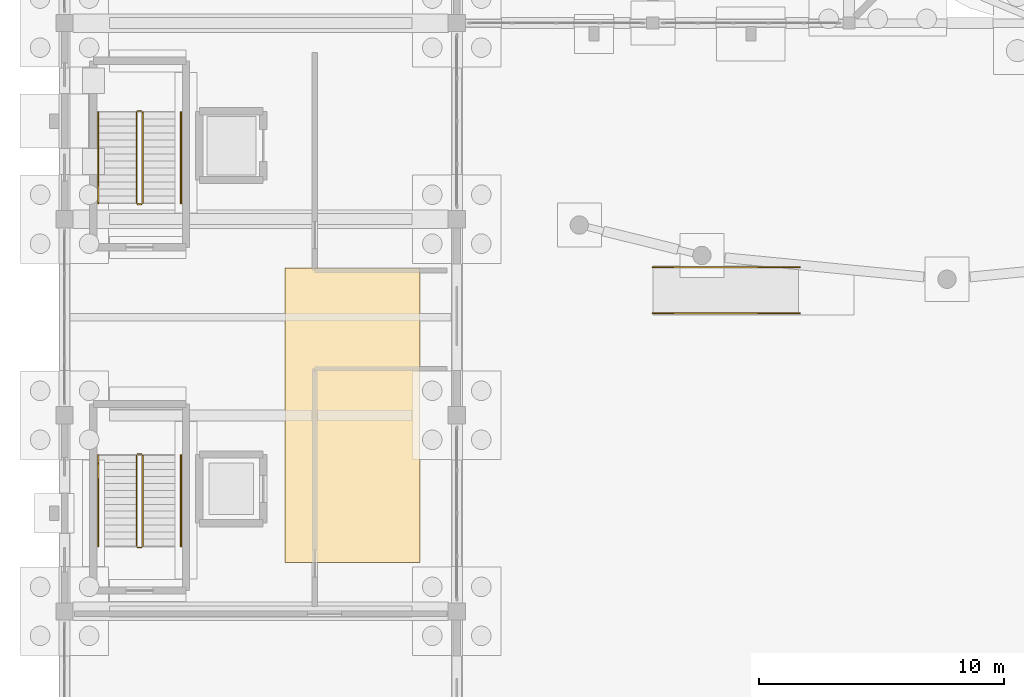
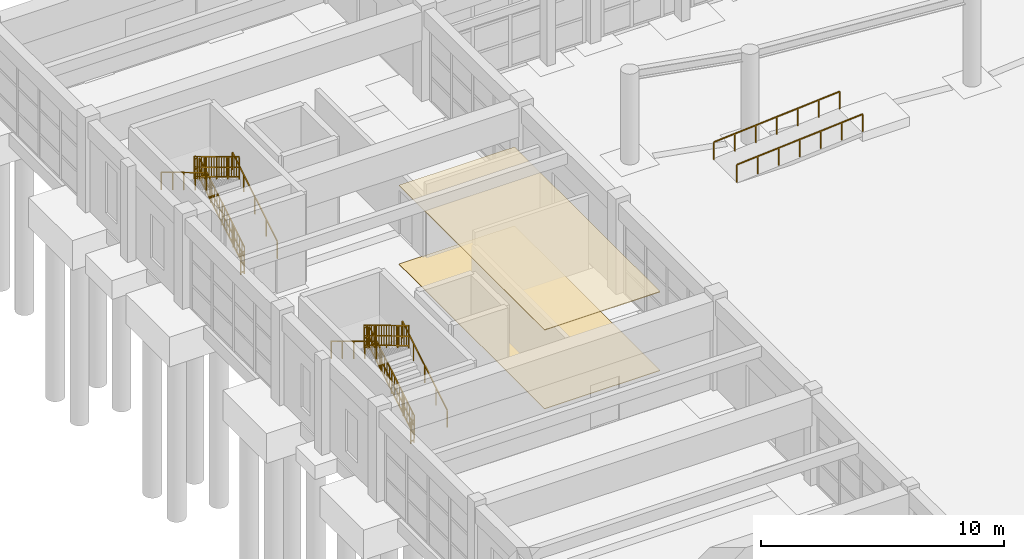
# One storey, part 58 of 68: 14 railings, 2 coverings.
"""IFC4 building model written with IfcOpenShell, lengths in metres."""

from ifc_helpers import new_model, si_unit, direction, frame, origin, origin_2d, place, context, subcontext, project, spatial, polyline, rectangle, outline, extrude, material, layer, layer_set, type_object, element, save


model = new_model("IFC4")

# Units and contexts
model_context = context("Model", 3, precision=1e-05, world=origin(), true_north=direction((0.0, 1.0)))
body_context = subcontext(model_context, "Body", "Model", "MODEL_VIEW")
ifc_project = project(units=[si_unit("LENGTHUNIT", "METRE"), si_unit("AREAUNIT", "SQUARE_METRE"), si_unit("VOLUMEUNIT", "CUBIC_METRE"), si_unit("PLANEANGLEUNIT", "RADIAN"), si_unit("MASSUNIT", "GRAM", prefix="KILO")], contexts=[model_context])

# Site, building, storey
site_placement = place(None, origin())
site = spatial("IfcSite", under=ifc_project, at=site_placement, CompositionType="ELEMENT")
building_placement = place(site_placement, origin())
building = spatial("IfcBuilding", under=site, at=building_placement, Name="Serraluz Foothill Cableway Terminal", CompositionType="ELEMENT")
storey_placement = place(building_placement, origin())
storey = spatial("IfcBuildingStorey", under=building, at=storey_placement, Name="L00", CompositionType="ELEMENT", Elevation=0.0)

# Coverings
ifc_material_1 = material(Name="Perforated acoustic mineral and timber ceiling", Category="wood")
ifc_layer_1 = layer(ifc_material_1, 0.034912109375, Name="Perforated acoustic mineral and timber ceiling", Category="wood")
ifc_layer_set_1 = layer_set([ifc_layer_1], Name="Perforated acoustic mineral and timber ceiling")
covering_type_1 = type_object("IfcCoveringType", Name="TYP-COV-CEIL-35", PredefinedType="CEILING", material=ifc_layer_set_1)
covering_1_placement = place(storey_placement, frame((0.0, 0.0, 3.9560546875)))
element("IfcCovering", 1, at=covering_1_placement, inside=storey, type_object=covering_type_1, Name="Suspended Acoustic Ceiling 05", PredefinedType="CEILING", context=body_context, shape_type="SweptSolid", body=[
    extrude(outline(polyline([(9.0, 34.0), (9.0, 46.0), (14.5, 46.0), (14.5, 34.0), (9.0, 34.0)])), origin(), (0.0, 0.0, 1.0), 0.034912109375),
])
ifc_material_2 = material(Name="Honed basalt and terrazzo floor finish", Category="masonry")
ifc_layer_2 = layer(ifc_material_2, 0.02490234375, Name="Honed basalt and terrazzo floor finish", Category="masonry")
ifc_layer_set_2 = layer_set([ifc_layer_2], Name="Honed basalt and terrazzo floor finish")
covering_type_2 = type_object("IfcCoveringType", Name="TYP-COV-FLR-25", PredefinedType="FLOORING", material=ifc_layer_set_2)
covering_2_placement = place(storey_placement, origin())
element("IfcCovering", 2, at=covering_2_placement, inside=storey, type_object=covering_type_2, Name="Terrazzo Concourse Flooring 05", PredefinedType="FLOORING", context=body_context, shape_type="SweptSolid", body=[
    extrude(outline(polyline([(9.0, 34.0), (14.5, 34.0), (14.5, 46.0), (9.0, 46.0), (9.0, 34.0)])), origin(), (0.0, 0.0, 1.0), 0.02490234375),
])

# Railings
ifc_material_3 = material(Name="Steel ASTM A572 Grade 50", Category="steel")
ifc_layer_3 = layer(ifc_material_3, 0.054931640625, Name="Steel ASTM A572 Grade 50", Category="steel")
ifc_layer_set_3 = layer_set([ifc_layer_3], Name="Steel ASTM A572 Grade 50")
railing_type_1 = type_object("IfcRailingType", Name="TYP-RL-GRD-1150", PredefinedType="GUARDRAIL", material=ifc_layer_set_3)
railing_1_placement = place(storey_placement, frame((3.18994140625, 48.659912109375, 0.17138671875)))
element("IfcRailing", 3, at=railing_1_placement, inside=storey, type_object=railing_type_1, Name="L00 ST-01 stair guard 1", PredefinedType="GUARDRAIL", context=body_context, shape_type="SweptSolid", body=[
    extrude(rectangle(XDim=0.048095703125, YDim=0.048095703125, at=origin_2d()), frame((0.0, 0.0, 1.1259765625), z_axis=(0.0, 0.856934400257, 0.515425487977), x_axis=(-1.0, 0.0, 0.0)), (0.0, 0.0, 1.0), 4.32373046875),
    extrude(rectangle(XDim=0.048095703125, YDim=0.048095703125, at=origin_2d()), frame((0.0, 0.0, 0.597900390625), z_axis=(0.0, 0.856934400257, 0.515425487977), x_axis=(-1.0, 0.0, 0.0)), (0.0, 0.0, 1.0), 4.32373046875),
    extrude(rectangle(XDim=0.048095703125, YDim=0.048095703125, at=origin_2d()), frame((0.0, 0.0, 0.1201171875), z_axis=(0.0, 0.856934400257, 0.515425487977), x_axis=(-1.0, 0.0, 0.0)), (0.0, 0.0, 1.0), 4.32373046875),
    extrude(rectangle(XDim=0.02001953125, YDim=0.02001953125, at=origin_2d()), frame((0.0, 0.205810546875, 0.243896484375)), (0.0, 0.0, 1.0), 0.981689453125),
    extrude(rectangle(XDim=0.02001953125, YDim=0.02001953125, at=origin_2d()), frame((0.0, 0.41162109375, 0.36767578125)), (0.0, 0.0, 1.0), 0.981689453125),
    extrude(rectangle(XDim=0.02001953125, YDim=0.02001953125, at=origin_2d()), frame((0.0, 0.617431640625, 0.491455078125)), (0.0, 0.0, 1.0), 0.981689453125),
    extrude(rectangle(XDim=0.02001953125, YDim=0.02001953125, at=origin_2d()), frame((0.0, 0.8232421875, 0.615234375)), (0.0, 0.0, 1.0), 0.981689453125),
    extrude(rectangle(XDim=0.02001953125, YDim=0.02001953125, at=origin_2d()), frame((0.0, 1.029296875, 0.739013671875)), (0.0, 0.0, 1.0), 0.981689453125),
    extrude(rectangle(XDim=0.02001953125, YDim=0.02001953125, at=origin_2d()), frame((0.0, 1.235107421875, 0.86279296875)), (0.0, 0.0, 1.0), 0.981689453125),
    extrude(rectangle(XDim=0.02001953125, YDim=0.02001953125, at=origin_2d()), frame((0.0, 1.44091796875, 0.986572265625)), (0.0, 0.0, 1.0), 0.981689453125),
    extrude(rectangle(XDim=0.02001953125, YDim=0.02001953125, at=origin_2d()), frame((0.0, 1.646728515625, 1.1103515625)), (0.0, 0.0, 1.0), 0.981689453125),
    extrude(rectangle(XDim=0.02001953125, YDim=0.02001953125, at=origin_2d()), frame((0.0, 2.058349609375, 1.358154296875)), (0.0, 0.0, 1.0), 0.981689453125),
    extrude(rectangle(XDim=0.02001953125, YDim=0.02001953125, at=origin_2d()), frame((0.0, 2.26416015625, 1.48193359375)), (0.0, 0.0, 1.0), 0.981689453125),
    extrude(rectangle(XDim=0.02001953125, YDim=0.02001953125, at=origin_2d()), frame((0.0, 2.469970703125, 1.605712890625)), (0.0, 0.0, 1.0), 0.981689453125),
    extrude(rectangle(XDim=0.02001953125, YDim=0.02001953125, at=origin_2d()), frame((0.0, 2.67578125, 1.7294921875)), (0.0, 0.0, 1.0), 0.981689453125),
    extrude(rectangle(XDim=0.02001953125, YDim=0.02001953125, at=origin_2d()), frame((0.0, 2.8818359375, 1.853271484375)), (0.0, 0.0, 1.0), 0.981689453125),
    extrude(rectangle(XDim=0.02001953125, YDim=0.02001953125, at=origin_2d()), frame((0.0, 3.087646484375, 1.97705078125)), (0.0, 0.0, 1.0), 0.981689453125),
    extrude(rectangle(XDim=0.02001953125, YDim=0.02001953125, at=origin_2d()), frame((0.0, 3.29345703125, 2.100830078125)), (0.0, 0.0, 1.0), 0.981689453125),
    extrude(rectangle(XDim=0.02001953125, YDim=0.02001953125, at=origin_2d()), frame((0.0, 3.499267578125, 2.224609375)), (0.0, 0.0, 1.0), 0.981689453125),
    extrude(rectangle(XDim=0.0439453125, YDim=0.0439453125, at=origin_2d()), origin(), (0.0, 0.0, 1.0), 1.101806640625),
    extrude(rectangle(XDim=0.0439453125, YDim=0.0439453125, at=origin_2d()), frame((0.0, 0.92626953125, 0.55712890625)), (0.0, 0.0, 1.0), 1.101806640625),
    extrude(rectangle(XDim=0.0439453125, YDim=0.0439453125, at=origin_2d()), frame((0.0, 1.8525390625, 1.1142578125)), (0.0, 0.0, 1.0), 1.101806640625),
    extrude(rectangle(XDim=0.0439453125, YDim=0.0439453125, at=origin_2d()), frame((0.0, 2.77880859375, 1.67138671875)), (0.0, 0.0, 1.0), 1.101806640625),
    extrude(rectangle(XDim=0.0439453125, YDim=0.0439453125, at=origin_2d()), frame((0.0, 3.705078125, 2.228515625)), (0.0, 0.0, 1.0), 1.101806640625),
])
railing_2_placement = place(storey_placement, frame((3.139892578125, 52.4150390625, 2.39990234375)))
element("IfcRailing", 4, at=railing_2_placement, inside=storey, type_object=railing_type_1, Name="L00 ST-01 stair guard 2", PredefinedType="GUARDRAIL", context=body_context, shape_type="SweptSolid", body=[
    extrude(rectangle(XDim=0.048095703125, YDim=0.048095703125, at=origin_2d()), frame((0.0, 0.0, 1.1259765625), z_axis=(-1.0, 0.0, 0.0), x_axis=(0.0, -1.0, 0.0)), (0.0, 0.0, 1.0), 0.159912109375),
    extrude(rectangle(XDim=0.048095703125, YDim=0.048095703125, at=origin_2d()), frame((0.0, 0.0, 0.597900390625), z_axis=(-1.0, 0.0, 0.0), x_axis=(0.0, -1.0, 0.0)), (0.0, 0.0, 1.0), 0.159912109375),
    extrude(rectangle(XDim=0.048095703125, YDim=0.048095703125, at=origin_2d()), frame((0.0, 0.0, 0.1201171875), z_axis=(-1.0, 0.0, 0.0), x_axis=(0.0, -1.0, 0.0)), (0.0, 0.0, 1.0), 0.159912109375),
    extrude(rectangle(XDim=0.0439453125, YDim=0.0439453125, at=origin_2d()), origin(), (0.0, 0.0, 1.0), 1.101806640625),
    extrude(rectangle(XDim=0.0439453125, YDim=0.0439453125, at=origin_2d()), frame((-0.159912109375, 0.0, 0.0)), (0.0, 0.0, 1.0), 1.101806640625),
])
railing_3_placement = place(storey_placement, frame((2.929931640625, 52.364990234375, 2.571533203125)))
element("IfcRailing", 5, at=railing_3_placement, inside=storey, type_object=railing_type_1, Name="L00 ST-01 stair guard 3", PredefinedType="GUARDRAIL", context=body_context, shape_type="SweptSolid", body=[
    extrude(rectangle(XDim=0.048095703125, YDim=0.048095703125, at=origin_2d()), frame((0.0, 0.0, 1.1259765625), z_axis=(0.0, -0.856934400257, 0.515425487977), x_axis=(1.0, 0.0, 0.0)), (0.0, 0.0, 1.0), 4.32373046875),
    extrude(rectangle(XDim=0.048095703125, YDim=0.048095703125, at=origin_2d()), frame((0.0, 0.0, 0.597900390625), z_axis=(0.0, -0.856934400257, 0.515425487977), x_axis=(1.0, 0.0, 0.0)), (0.0, 0.0, 1.0), 4.32373046875),
    extrude(rectangle(XDim=0.048095703125, YDim=0.048095703125, at=origin_2d()), frame((0.0, 0.0, 0.1201171875), z_axis=(0.0, -0.856934400257, 0.515425487977), x_axis=(1.0, 0.0, 0.0)), (0.0, 0.0, 1.0), 4.32373046875),
    extrude(rectangle(XDim=0.02001953125, YDim=0.02001953125, at=origin_2d()), frame((0.0, -0.205810546875, 0.243896484375)), (0.0, 0.0, 1.0), 0.981689453125),
    extrude(rectangle(XDim=0.02001953125, YDim=0.02001953125, at=origin_2d()), frame((0.0, -0.41162109375, 0.36767578125)), (0.0, 0.0, 1.0), 0.981689453125),
    extrude(rectangle(XDim=0.02001953125, YDim=0.02001953125, at=origin_2d()), frame((0.0, -0.617431640625, 0.491455078125)), (0.0, 0.0, 1.0), 0.981689453125),
    extrude(rectangle(XDim=0.02001953125, YDim=0.02001953125, at=origin_2d()), frame((0.0, -0.8232421875, 0.615234375)), (0.0, 0.0, 1.0), 0.981689453125),
    extrude(rectangle(XDim=0.02001953125, YDim=0.02001953125, at=origin_2d()), frame((0.0, -1.029296875, 0.739013671875)), (0.0, 0.0, 1.0), 0.981689453125),
    extrude(rectangle(XDim=0.02001953125, YDim=0.02001953125, at=origin_2d()), frame((0.0, -1.235107421875, 0.86279296875)), (0.0, 0.0, 1.0), 0.981689453125),
    extrude(rectangle(XDim=0.02001953125, YDim=0.02001953125, at=origin_2d()), frame((0.0, -1.44091796875, 0.986572265625)), (0.0, 0.0, 1.0), 0.981689453125),
    extrude(rectangle(XDim=0.02001953125, YDim=0.02001953125, at=origin_2d()), frame((0.0, -1.646728515625, 1.1103515625)), (0.0, 0.0, 1.0), 0.981689453125),
    extrude(rectangle(XDim=0.02001953125, YDim=0.02001953125, at=origin_2d()), frame((0.0, -2.058349609375, 1.358154296875)), (0.0, 0.0, 1.0), 0.981689453125),
    extrude(rectangle(XDim=0.02001953125, YDim=0.02001953125, at=origin_2d()), frame((0.0, -2.26416015625, 1.48193359375)), (0.0, 0.0, 1.0), 0.981689453125),
    extrude(rectangle(XDim=0.02001953125, YDim=0.02001953125, at=origin_2d()), frame((0.0, -2.469970703125, 1.605712890625)), (0.0, 0.0, 1.0), 0.981689453125),
    extrude(rectangle(XDim=0.02001953125, YDim=0.02001953125, at=origin_2d()), frame((0.0, -2.67578125, 1.7294921875)), (0.0, 0.0, 1.0), 0.981689453125),
    extrude(rectangle(XDim=0.02001953125, YDim=0.02001953125, at=origin_2d()), frame((0.0, -2.8818359375, 1.853271484375)), (0.0, 0.0, 1.0), 0.981689453125),
    extrude(rectangle(XDim=0.02001953125, YDim=0.02001953125, at=origin_2d()), frame((0.0, -3.087646484375, 1.97705078125)), (0.0, 0.0, 1.0), 0.981689453125),
    extrude(rectangle(XDim=0.02001953125, YDim=0.02001953125, at=origin_2d()), frame((0.0, -3.29345703125, 2.100830078125)), (0.0, 0.0, 1.0), 0.981689453125),
    extrude(rectangle(XDim=0.02001953125, YDim=0.02001953125, at=origin_2d()), frame((0.0, -3.499267578125, 2.224609375)), (0.0, 0.0, 1.0), 0.981689453125),
    extrude(rectangle(XDim=0.0439453125, YDim=0.0439453125, at=origin_2d()), origin(), (0.0, 0.0, 1.0), 1.101806640625),
    extrude(rectangle(XDim=0.0439453125, YDim=0.0439453125, at=origin_2d()), frame((0.0, -0.92626953125, 0.55712890625)), (0.0, 0.0, 1.0), 1.101806640625),
    extrude(rectangle(XDim=0.0439453125, YDim=0.0439453125, at=origin_2d()), frame((0.0, -1.8525390625, 1.1142578125)), (0.0, 0.0, 1.0), 1.101806640625),
    extrude(rectangle(XDim=0.0439453125, YDim=0.0439453125, at=origin_2d()), frame((0.0, -2.77880859375, 1.67138671875)), (0.0, 0.0, 1.0), 1.101806640625),
    extrude(rectangle(XDim=0.0439453125, YDim=0.0439453125, at=origin_2d()), frame((0.0, -3.705078125, 2.228515625)), (0.0, 0.0, 1.0), 1.101806640625),
])
railing_4_placement = place(storey_placement, frame((3.139892578125, 48.610107421875, 0.0)))
element("IfcRailing", 6, at=railing_4_placement, inside=storey, type_object=railing_type_1, Name="L00 ST-01 stair guard 4", PredefinedType="GUARDRAIL", context=body_context, shape_type="SweptSolid", body=[
    extrude(rectangle(XDim=0.048095703125, YDim=0.048095703125, at=origin_2d()), frame((0.0, 0.0, 1.1259765625), z_axis=(-1.0, 0.0, 0.0), x_axis=(0.0, -1.0, 0.0)), (0.0, 0.0, 1.0), 0.159912109375),
    extrude(rectangle(XDim=0.048095703125, YDim=0.048095703125, at=origin_2d()), frame((0.0, 0.0, 0.597900390625), z_axis=(-1.0, 0.0, 0.0), x_axis=(0.0, -1.0, 0.0)), (0.0, 0.0, 1.0), 0.159912109375),
    extrude(rectangle(XDim=0.048095703125, YDim=0.048095703125, at=origin_2d()), frame((0.0, 0.0, 0.1201171875), z_axis=(-1.0, 0.0, 0.0), x_axis=(0.0, -1.0, 0.0)), (0.0, 0.0, 1.0), 0.159912109375),
    extrude(rectangle(XDim=0.0439453125, YDim=0.0439453125, at=origin_2d()), origin(), (0.0, 0.0, 1.0), 1.101806640625),
    extrude(rectangle(XDim=0.0439453125, YDim=0.0439453125, at=origin_2d()), frame((-0.159912109375, 0.0, 0.0)), (0.0, 0.0, 1.0), 1.101806640625),
])
railing_5_placement = place(storey_placement, frame((3.18994140625, 34.659912109375, 0.17138671875)))
element("IfcRailing", 7, at=railing_5_placement, inside=storey, type_object=railing_type_1, Name="L00 ST-02 stair guard 1", PredefinedType="GUARDRAIL", context=body_context, shape_type="SweptSolid", body=[
    extrude(rectangle(XDim=0.048095703125, YDim=0.048095703125, at=origin_2d()), frame((0.0, 0.0, 1.1259765625), z_axis=(0.0, 0.856934400257, 0.515425487977), x_axis=(-1.0, 0.0, 0.0)), (0.0, 0.0, 1.0), 4.32373046875),
    extrude(rectangle(XDim=0.048095703125, YDim=0.048095703125, at=origin_2d()), frame((0.0, 0.0, 0.597900390625), z_axis=(0.0, 0.856934400257, 0.515425487977), x_axis=(-1.0, 0.0, 0.0)), (0.0, 0.0, 1.0), 4.32373046875),
    extrude(rectangle(XDim=0.048095703125, YDim=0.048095703125, at=origin_2d()), frame((0.0, 0.0, 0.1201171875), z_axis=(0.0, 0.856934400257, 0.515425487977), x_axis=(-1.0, 0.0, 0.0)), (0.0, 0.0, 1.0), 4.32373046875),
    extrude(rectangle(XDim=0.02001953125, YDim=0.02001953125, at=origin_2d()), frame((0.0, 0.205810546875, 0.243896484375)), (0.0, 0.0, 1.0), 0.981689453125),
    extrude(rectangle(XDim=0.02001953125, YDim=0.02001953125, at=origin_2d()), frame((0.0, 0.41162109375, 0.36767578125)), (0.0, 0.0, 1.0), 0.981689453125),
    extrude(rectangle(XDim=0.02001953125, YDim=0.02001953125, at=origin_2d()), frame((0.0, 0.617431640625, 0.491455078125)), (0.0, 0.0, 1.0), 0.981689453125),
    extrude(rectangle(XDim=0.02001953125, YDim=0.02001953125, at=origin_2d()), frame((0.0, 0.8232421875, 0.615234375)), (0.0, 0.0, 1.0), 0.981689453125),
    extrude(rectangle(XDim=0.02001953125, YDim=0.02001953125, at=origin_2d()), frame((0.0, 1.029296875, 0.739013671875)), (0.0, 0.0, 1.0), 0.981689453125),
    extrude(rectangle(XDim=0.02001953125, YDim=0.02001953125, at=origin_2d()), frame((0.0, 1.235107421875, 0.86279296875)), (0.0, 0.0, 1.0), 0.981689453125),
    extrude(rectangle(XDim=0.02001953125, YDim=0.02001953125, at=origin_2d()), frame((0.0, 1.44091796875, 0.986572265625)), (0.0, 0.0, 1.0), 0.981689453125),
    extrude(rectangle(XDim=0.02001953125, YDim=0.02001953125, at=origin_2d()), frame((0.0, 1.646728515625, 1.1103515625)), (0.0, 0.0, 1.0), 0.981689453125),
    extrude(rectangle(XDim=0.02001953125, YDim=0.02001953125, at=origin_2d()), frame((0.0, 2.058349609375, 1.358154296875)), (0.0, 0.0, 1.0), 0.981689453125),
    extrude(rectangle(XDim=0.02001953125, YDim=0.02001953125, at=origin_2d()), frame((0.0, 2.26416015625, 1.48193359375)), (0.0, 0.0, 1.0), 0.981689453125),
    extrude(rectangle(XDim=0.02001953125, YDim=0.02001953125, at=origin_2d()), frame((0.0, 2.469970703125, 1.605712890625)), (0.0, 0.0, 1.0), 0.981689453125),
    extrude(rectangle(XDim=0.02001953125, YDim=0.02001953125, at=origin_2d()), frame((0.0, 2.67578125, 1.7294921875)), (0.0, 0.0, 1.0), 0.981689453125),
    extrude(rectangle(XDim=0.02001953125, YDim=0.02001953125, at=origin_2d()), frame((0.0, 2.8818359375, 1.853271484375)), (0.0, 0.0, 1.0), 0.981689453125),
    extrude(rectangle(XDim=0.02001953125, YDim=0.02001953125, at=origin_2d()), frame((0.0, 3.087646484375, 1.97705078125)), (0.0, 0.0, 1.0), 0.981689453125),
    extrude(rectangle(XDim=0.02001953125, YDim=0.02001953125, at=origin_2d()), frame((0.0, 3.29345703125, 2.100830078125)), (0.0, 0.0, 1.0), 0.981689453125),
    extrude(rectangle(XDim=0.02001953125, YDim=0.02001953125, at=origin_2d()), frame((0.0, 3.499267578125, 2.224609375)), (0.0, 0.0, 1.0), 0.981689453125),
    extrude(rectangle(XDim=0.0439453125, YDim=0.0439453125, at=origin_2d()), origin(), (0.0, 0.0, 1.0), 1.101806640625),
    extrude(rectangle(XDim=0.0439453125, YDim=0.0439453125, at=origin_2d()), frame((0.0, 0.92626953125, 0.55712890625)), (0.0, 0.0, 1.0), 1.101806640625),
    extrude(rectangle(XDim=0.0439453125, YDim=0.0439453125, at=origin_2d()), frame((0.0, 1.8525390625, 1.1142578125)), (0.0, 0.0, 1.0), 1.101806640625),
    extrude(rectangle(XDim=0.0439453125, YDim=0.0439453125, at=origin_2d()), frame((0.0, 2.77880859375, 1.67138671875)), (0.0, 0.0, 1.0), 1.101806640625),
    extrude(rectangle(XDim=0.0439453125, YDim=0.0439453125, at=origin_2d()), frame((0.0, 3.705078125, 2.228515625)), (0.0, 0.0, 1.0), 1.101806640625),
])
railing_6_placement = place(storey_placement, frame((3.139892578125, 38.4150390625, 2.39990234375)))
element("IfcRailing", 8, at=railing_6_placement, inside=storey, type_object=railing_type_1, Name="L00 ST-02 stair guard 2", PredefinedType="GUARDRAIL", context=body_context, shape_type="SweptSolid", body=[
    extrude(rectangle(XDim=0.048095703125, YDim=0.048095703125, at=origin_2d()), frame((0.0, 0.0, 1.1259765625), z_axis=(-1.0, 0.0, 0.0), x_axis=(0.0, -1.0, 0.0)), (0.0, 0.0, 1.0), 0.159912109375),
    extrude(rectangle(XDim=0.048095703125, YDim=0.048095703125, at=origin_2d()), frame((0.0, 0.0, 0.597900390625), z_axis=(-1.0, 0.0, 0.0), x_axis=(0.0, -1.0, 0.0)), (0.0, 0.0, 1.0), 0.159912109375),
    extrude(rectangle(XDim=0.048095703125, YDim=0.048095703125, at=origin_2d()), frame((0.0, 0.0, 0.1201171875), z_axis=(-1.0, 0.0, 0.0), x_axis=(0.0, -1.0, 0.0)), (0.0, 0.0, 1.0), 0.159912109375),
    extrude(rectangle(XDim=0.0439453125, YDim=0.0439453125, at=origin_2d()), origin(), (0.0, 0.0, 1.0), 1.101806640625),
    extrude(rectangle(XDim=0.0439453125, YDim=0.0439453125, at=origin_2d()), frame((-0.159912109375, 0.0, 0.0)), (0.0, 0.0, 1.0), 1.101806640625),
])
railing_7_placement = place(storey_placement, frame((2.929931640625, 38.364990234375, 2.571533203125)))
element("IfcRailing", 9, at=railing_7_placement, inside=storey, type_object=railing_type_1, Name="L00 ST-02 stair guard 3", PredefinedType="GUARDRAIL", context=body_context, shape_type="SweptSolid", body=[
    extrude(rectangle(XDim=0.048095703125, YDim=0.048095703125, at=origin_2d()), frame((0.0, 0.0, 1.1259765625), z_axis=(0.0, -0.856934400257, 0.515425487977), x_axis=(1.0, 0.0, 0.0)), (0.0, 0.0, 1.0), 4.32373046875),
    extrude(rectangle(XDim=0.048095703125, YDim=0.048095703125, at=origin_2d()), frame((0.0, 0.0, 0.597900390625), z_axis=(0.0, -0.856934400257, 0.515425487977), x_axis=(1.0, 0.0, 0.0)), (0.0, 0.0, 1.0), 4.32373046875),
    extrude(rectangle(XDim=0.048095703125, YDim=0.048095703125, at=origin_2d()), frame((0.0, 0.0, 0.1201171875), z_axis=(0.0, -0.856934400257, 0.515425487977), x_axis=(1.0, 0.0, 0.0)), (0.0, 0.0, 1.0), 4.32373046875),
    extrude(rectangle(XDim=0.02001953125, YDim=0.02001953125, at=origin_2d()), frame((0.0, -0.205810546875, 0.243896484375)), (0.0, 0.0, 1.0), 0.981689453125),
    extrude(rectangle(XDim=0.02001953125, YDim=0.02001953125, at=origin_2d()), frame((0.0, -0.41162109375, 0.36767578125)), (0.0, 0.0, 1.0), 0.981689453125),
    extrude(rectangle(XDim=0.02001953125, YDim=0.02001953125, at=origin_2d()), frame((0.0, -0.617431640625, 0.491455078125)), (0.0, 0.0, 1.0), 0.981689453125),
    extrude(rectangle(XDim=0.02001953125, YDim=0.02001953125, at=origin_2d()), frame((0.0, -0.8232421875, 0.615234375)), (0.0, 0.0, 1.0), 0.981689453125),
    extrude(rectangle(XDim=0.02001953125, YDim=0.02001953125, at=origin_2d()), frame((0.0, -1.029296875, 0.739013671875)), (0.0, 0.0, 1.0), 0.981689453125),
    extrude(rectangle(XDim=0.02001953125, YDim=0.02001953125, at=origin_2d()), frame((0.0, -1.235107421875, 0.86279296875)), (0.0, 0.0, 1.0), 0.981689453125),
    extrude(rectangle(XDim=0.02001953125, YDim=0.02001953125, at=origin_2d()), frame((0.0, -1.44091796875, 0.986572265625)), (0.0, 0.0, 1.0), 0.981689453125),
    extrude(rectangle(XDim=0.02001953125, YDim=0.02001953125, at=origin_2d()), frame((0.0, -1.646728515625, 1.1103515625)), (0.0, 0.0, 1.0), 0.981689453125),
    extrude(rectangle(XDim=0.02001953125, YDim=0.02001953125, at=origin_2d()), frame((0.0, -2.058349609375, 1.358154296875)), (0.0, 0.0, 1.0), 0.981689453125),
    extrude(rectangle(XDim=0.02001953125, YDim=0.02001953125, at=origin_2d()), frame((0.0, -2.26416015625, 1.48193359375)), (0.0, 0.0, 1.0), 0.981689453125),
    extrude(rectangle(XDim=0.02001953125, YDim=0.02001953125, at=origin_2d()), frame((0.0, -2.469970703125, 1.605712890625)), (0.0, 0.0, 1.0), 0.981689453125),
    extrude(rectangle(XDim=0.02001953125, YDim=0.02001953125, at=origin_2d()), frame((0.0, -2.67578125, 1.7294921875)), (0.0, 0.0, 1.0), 0.981689453125),
    extrude(rectangle(XDim=0.02001953125, YDim=0.02001953125, at=origin_2d()), frame((0.0, -2.8818359375, 1.853271484375)), (0.0, 0.0, 1.0), 0.981689453125),
    extrude(rectangle(XDim=0.02001953125, YDim=0.02001953125, at=origin_2d()), frame((0.0, -3.087646484375, 1.97705078125)), (0.0, 0.0, 1.0), 0.981689453125),
    extrude(rectangle(XDim=0.02001953125, YDim=0.02001953125, at=origin_2d()), frame((0.0, -3.29345703125, 2.100830078125)), (0.0, 0.0, 1.0), 0.981689453125),
    extrude(rectangle(XDim=0.02001953125, YDim=0.02001953125, at=origin_2d()), frame((0.0, -3.499267578125, 2.224609375)), (0.0, 0.0, 1.0), 0.981689453125),
    extrude(rectangle(XDim=0.0439453125, YDim=0.0439453125, at=origin_2d()), origin(), (0.0, 0.0, 1.0), 1.101806640625),
    extrude(rectangle(XDim=0.0439453125, YDim=0.0439453125, at=origin_2d()), frame((0.0, -0.92626953125, 0.55712890625)), (0.0, 0.0, 1.0), 1.101806640625),
    extrude(rectangle(XDim=0.0439453125, YDim=0.0439453125, at=origin_2d()), frame((0.0, -1.8525390625, 1.1142578125)), (0.0, 0.0, 1.0), 1.101806640625),
    extrude(rectangle(XDim=0.0439453125, YDim=0.0439453125, at=origin_2d()), frame((0.0, -2.77880859375, 1.67138671875)), (0.0, 0.0, 1.0), 1.101806640625),
    extrude(rectangle(XDim=0.0439453125, YDim=0.0439453125, at=origin_2d()), frame((0.0, -3.705078125, 2.228515625)), (0.0, 0.0, 1.0), 1.101806640625),
])
railing_8_placement = place(storey_placement, frame((3.139892578125, 34.610107421875, 0.0)))
element("IfcRailing", 10, at=railing_8_placement, inside=storey, type_object=railing_type_1, Name="L00 ST-02 stair guard 4", PredefinedType="GUARDRAIL", context=body_context, shape_type="SweptSolid", body=[
    extrude(rectangle(XDim=0.048095703125, YDim=0.048095703125, at=origin_2d()), frame((0.0, 0.0, 1.1259765625), z_axis=(-1.0, 0.0, 0.0), x_axis=(0.0, -1.0, 0.0)), (0.0, 0.0, 1.0), 0.159912109375),
    extrude(rectangle(XDim=0.048095703125, YDim=0.048095703125, at=origin_2d()), frame((0.0, 0.0, 0.597900390625), z_axis=(-1.0, 0.0, 0.0), x_axis=(0.0, -1.0, 0.0)), (0.0, 0.0, 1.0), 0.159912109375),
    extrude(rectangle(XDim=0.048095703125, YDim=0.048095703125, at=origin_2d()), frame((0.0, 0.0, 0.1201171875), z_axis=(-1.0, 0.0, 0.0), x_axis=(0.0, -1.0, 0.0)), (0.0, 0.0, 1.0), 0.159912109375),
    extrude(rectangle(XDim=0.0439453125, YDim=0.0439453125, at=origin_2d()), origin(), (0.0, 0.0, 1.0), 1.101806640625),
    extrude(rectangle(XDim=0.0439453125, YDim=0.0439453125, at=origin_2d()), frame((-0.159912109375, 0.0, 0.0)), (0.0, 0.0, 1.0), 1.101806640625),
])
ifc_material_4 = material(Name="Architectural bronze alloy C28000", Category="aluminium")
ifc_layer_4 = layer(ifc_material_4, 0.048095703125, Name="Architectural bronze alloy C28000", Category="aluminium")
ifc_layer_set_4 = layer_set([ifc_layer_4], Name="Architectural bronze alloy C28000")
railing_type_2 = type_object("IfcRailingType", Name="TYP-RL-HND-920", PredefinedType="HANDRAIL", material=ifc_layer_set_4)
railing_9_placement = place(storey_placement, frame((4.75, 48.659912109375, 0.17138671875)))
element("IfcRailing", 11, at=railing_9_placement, inside=storey, type_object=railing_type_2, Name="L00 ST-01 stair handrail 1", PredefinedType="HANDRAIL", context=body_context, shape_type="SweptSolid", body=[
    extrude(rectangle(XDim=0.048095703125, YDim=0.048095703125, at=origin_2d()), frame((0.0, 0.0, 0.8759765625), z_axis=(0.0, 0.856934400257, 0.515425487977), x_axis=(-1.0, 0.0, 0.0)), (0.0, 0.0, 1.0), 4.32373046875),
    extrude(rectangle(XDim=0.0439453125, YDim=0.0439453125, at=origin_2d()), origin(), (0.0, 0.0, 1.0), 0.851806640625),
    extrude(rectangle(XDim=0.0439453125, YDim=0.0439453125, at=origin_2d()), frame((0.0, 0.92626953125, 0.55712890625)), (0.0, 0.0, 1.0), 0.851806640625),
    extrude(rectangle(XDim=0.0439453125, YDim=0.0439453125, at=origin_2d()), frame((0.0, 1.8525390625, 1.1142578125)), (0.0, 0.0, 1.0), 0.851806640625),
    extrude(rectangle(XDim=0.0439453125, YDim=0.0439453125, at=origin_2d()), frame((0.0, 2.77880859375, 1.67138671875)), (0.0, 0.0, 1.0), 0.851806640625),
    extrude(rectangle(XDim=0.0439453125, YDim=0.0439453125, at=origin_2d()), frame((0.0, 3.705078125, 2.228515625)), (0.0, 0.0, 1.0), 0.851806640625),
])
railing_10_placement = place(storey_placement, frame((1.3701171875, 52.364990234375, 2.571533203125)))
element("IfcRailing", 12, at=railing_10_placement, inside=storey, type_object=railing_type_2, Name="L00 ST-01 stair handrail 2", PredefinedType="HANDRAIL", context=body_context, shape_type="SweptSolid", body=[
    extrude(rectangle(XDim=0.048095703125, YDim=0.048095703125, at=origin_2d()), frame((0.0, 0.0, 0.8759765625), z_axis=(0.0, -0.856934400257, 0.515425487977), x_axis=(1.0, 0.0, 0.0)), (0.0, 0.0, 1.0), 4.32373046875),
    extrude(rectangle(XDim=0.0439453125, YDim=0.0439453125, at=origin_2d()), origin(), (0.0, 0.0, 1.0), 0.851806640625),
    extrude(rectangle(XDim=0.0439453125, YDim=0.0439453125, at=origin_2d()), frame((0.0, -0.92626953125, 0.55712890625)), (0.0, 0.0, 1.0), 0.851806640625),
    extrude(rectangle(XDim=0.0439453125, YDim=0.0439453125, at=origin_2d()), frame((0.0, -1.8525390625, 1.1142578125)), (0.0, 0.0, 1.0), 0.851806640625),
    extrude(rectangle(XDim=0.0439453125, YDim=0.0439453125, at=origin_2d()), frame((0.0, -2.77880859375, 1.67138671875)), (0.0, 0.0, 1.0), 0.851806640625),
    extrude(rectangle(XDim=0.0439453125, YDim=0.0439453125, at=origin_2d()), frame((0.0, -3.705078125, 2.228515625)), (0.0, 0.0, 1.0), 0.851806640625),
])
railing_11_placement = place(storey_placement, frame((4.75, 34.659912109375, 0.17138671875)))
element("IfcRailing", 13, at=railing_11_placement, inside=storey, type_object=railing_type_2, Name="L00 ST-02 stair handrail 1", PredefinedType="HANDRAIL", context=body_context, shape_type="SweptSolid", body=[
    extrude(rectangle(XDim=0.048095703125, YDim=0.048095703125, at=origin_2d()), frame((0.0, 0.0, 0.8759765625), z_axis=(0.0, 0.856934400257, 0.515425487977), x_axis=(-1.0, 0.0, 0.0)), (0.0, 0.0, 1.0), 4.32373046875),
    extrude(rectangle(XDim=0.0439453125, YDim=0.0439453125, at=origin_2d()), origin(), (0.0, 0.0, 1.0), 0.851806640625),
    extrude(rectangle(XDim=0.0439453125, YDim=0.0439453125, at=origin_2d()), frame((0.0, 0.92626953125, 0.55712890625)), (0.0, 0.0, 1.0), 0.851806640625),
    extrude(rectangle(XDim=0.0439453125, YDim=0.0439453125, at=origin_2d()), frame((0.0, 1.8525390625, 1.1142578125)), (0.0, 0.0, 1.0), 0.851806640625),
    extrude(rectangle(XDim=0.0439453125, YDim=0.0439453125, at=origin_2d()), frame((0.0, 2.77880859375, 1.67138671875)), (0.0, 0.0, 1.0), 0.851806640625),
    extrude(rectangle(XDim=0.0439453125, YDim=0.0439453125, at=origin_2d()), frame((0.0, 3.705078125, 2.228515625)), (0.0, 0.0, 1.0), 0.851806640625),
])
railing_12_placement = place(storey_placement, frame((1.3701171875, 38.364990234375, 2.571533203125)))
element("IfcRailing", 14, at=railing_12_placement, inside=storey, type_object=railing_type_2, Name="L00 ST-02 stair handrail 2", PredefinedType="HANDRAIL", context=body_context, shape_type="SweptSolid", body=[
    extrude(rectangle(XDim=0.048095703125, YDim=0.048095703125, at=origin_2d()), frame((0.0, 0.0, 0.8759765625), z_axis=(0.0, -0.856934400257, 0.515425487977), x_axis=(1.0, 0.0, 0.0)), (0.0, 0.0, 1.0), 4.32373046875),
    extrude(rectangle(XDim=0.0439453125, YDim=0.0439453125, at=origin_2d()), origin(), (0.0, 0.0, 1.0), 0.851806640625),
    extrude(rectangle(XDim=0.0439453125, YDim=0.0439453125, at=origin_2d()), frame((0.0, -0.92626953125, 0.55712890625)), (0.0, 0.0, 1.0), 0.851806640625),
    extrude(rectangle(XDim=0.0439453125, YDim=0.0439453125, at=origin_2d()), frame((0.0, -1.8525390625, 1.1142578125)), (0.0, 0.0, 1.0), 0.851806640625),
    extrude(rectangle(XDim=0.0439453125, YDim=0.0439453125, at=origin_2d()), frame((0.0, -2.77880859375, 1.67138671875)), (0.0, 0.0, 1.0), 0.851806640625),
    extrude(rectangle(XDim=0.0439453125, YDim=0.0439453125, at=origin_2d()), frame((0.0, -3.705078125, 2.228515625)), (0.0, 0.0, 1.0), 0.851806640625),
])
for number, where, name in (
    (15, (24.0, 46.0400390625, 0.0), "HANDRAIL RMP-03-L"),
    (16, (24.0, 44.159912109375, 0.0), "HANDRAIL RMP-03-R"),
):
    element("IfcRailing", number, at=place(storey_placement, frame(where)), inside=storey, type_object=railing_type_2, Name=name, PredefinedType="HANDRAIL", context=body_context, shape_type="SweptSolid", body=[
        extrude(rectangle(XDim=0.048095703125, YDim=0.048095703125, at=origin_2d()), frame((0.0, 0.0, 0.8759765625), z_axis=(0.997199915094, 0.0, 0.074781878398), x_axis=(0.0, 1.0, 0.0)), (0.0, 0.0, 1.0), 6.016845703125),
        extrude(rectangle(XDim=0.0439453125, YDim=0.0439453125, at=origin_2d()), origin(), (0.0, 0.0, 1.0), 0.851806640625),
        extrude(rectangle(XDim=0.0439453125, YDim=0.0439453125, at=origin_2d()), frame((1.0, 0.0, 0.074951171875)), (0.0, 0.0, 1.0), 0.851806640625),
        extrude(rectangle(XDim=0.0439453125, YDim=0.0439453125, at=origin_2d()), frame((2.0, 0.0, 0.14990234375)), (0.0, 0.0, 1.0), 0.851806640625),
        extrude(rectangle(XDim=0.0439453125, YDim=0.0439453125, at=origin_2d()), frame((3.0, 0.0, 0.22509765625)), (0.0, 0.0, 1.0), 0.851806640625),
        extrude(rectangle(XDim=0.0439453125, YDim=0.0439453125, at=origin_2d()), frame((4.0, 0.0, 0.300048828125)), (0.0, 0.0, 1.0), 0.851806640625),
        extrude(rectangle(XDim=0.0439453125, YDim=0.0439453125, at=origin_2d()), frame((5.0, 0.0, 0.375)), (0.0, 0.0, 1.0), 0.851806640625),
        extrude(rectangle(XDim=0.0439453125, YDim=0.0439453125, at=origin_2d()), frame((6.0, 0.0, 0.449951171875)), (0.0, 0.0, 1.0), 0.851806640625),
    ])

save(model, "model.ifc")
